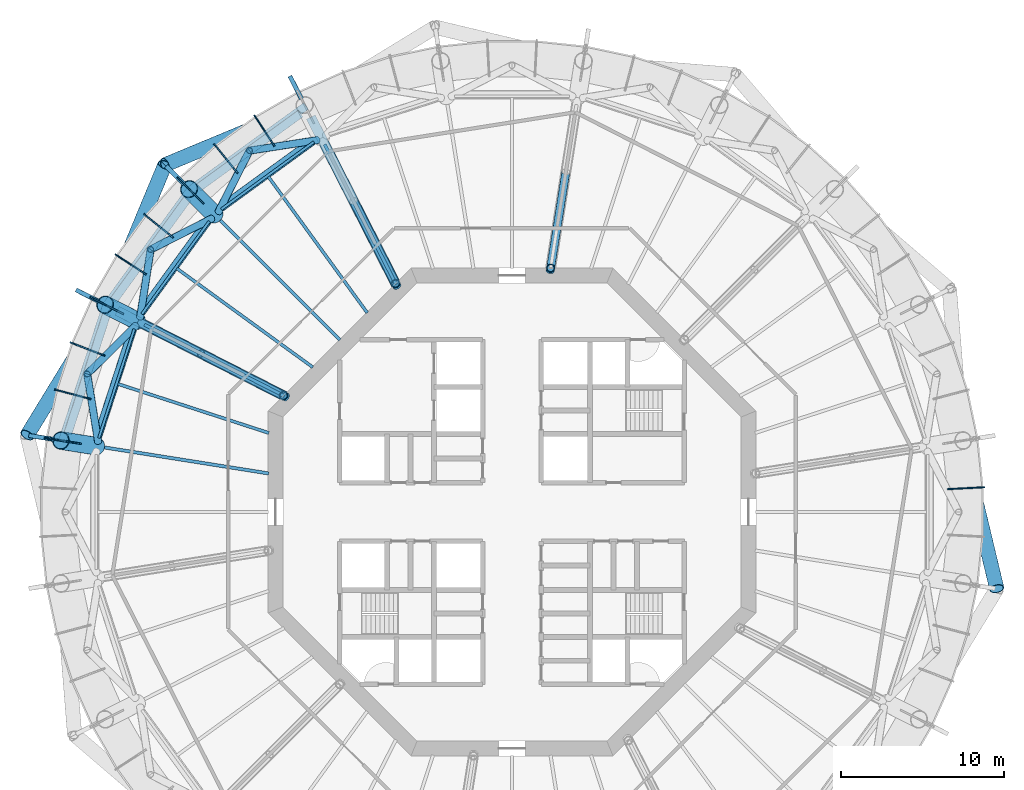
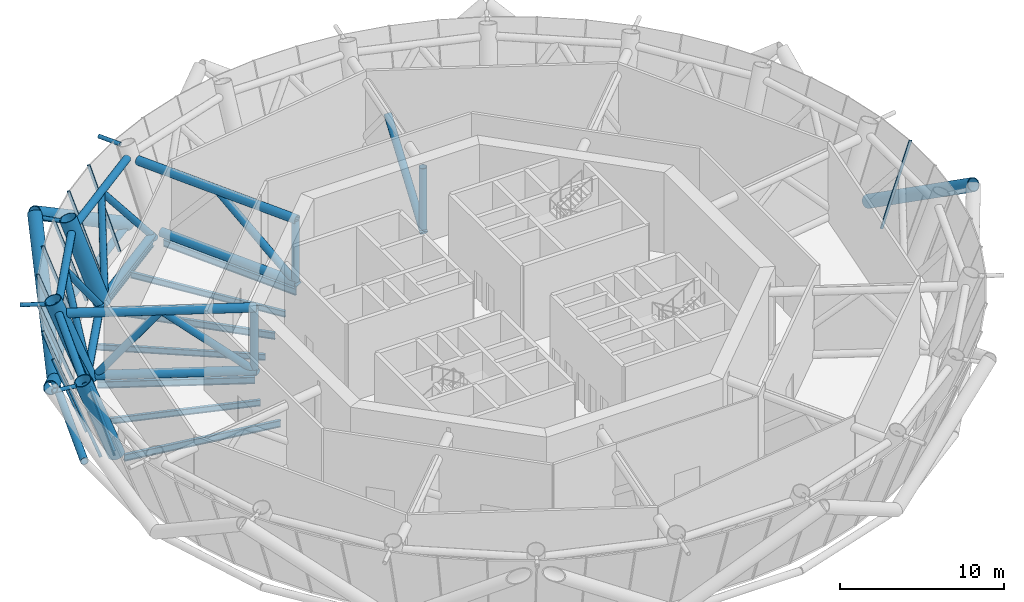
# One storey, part 4 of 15: 47 members, 10 beams, 5 elements without a shape of their own.
"""IFC4 building model written with IfcOpenShell, lengths in metres."""

import ifcopenshell
import ifcopenshell.guid

model = None  # the IFC model being written
_history = None  # IfcOwnerHistory: only IFC2X3 demands one
_inside = {}  # id of a spatial element -> (the spatial element, [elements in it])
_under = {}  # id of a project, library or spatial element -> (it, [spatial elements below it])
_declared = {}  # id of a project -> (the project, [libraries it declares])
_typed = {}  # id of a type object -> (the type object, [elements of that type])
_made_of = {}  # id of a material, layer set ... -> (it, [elements and type objects made of it])


def new_model(schema):
    """Start an empty IFC model of exactly this schema.

    Asked for "IFC4X3", IfcOpenShell would pick the latest addendum, in which some entities
    have other attributes; the version numbers below select the first issue.
    IFC2X3 requires an IfcOwnerHistory on every rooted entity: one is made here for all.
    """
    global model, _history
    if schema == "IFC4X3":
        model = ifcopenshell.file(schema_version=(4, 3, 0, 0))
    else:
        model = ifcopenshell.file(schema=schema)
    _inside.clear()
    _under.clear()
    _declared.clear()
    _typed.clear()
    _made_of.clear()
    _history = None
    if model.schema == "IFC2X3":
        org = make("IfcOrganization", Name="unknown")
        user = make(
            "IfcPersonAndOrganization",
            ThePerson=make("IfcPerson", FamilyName="unknown"),
            TheOrganization=org,
        )
        app = make(
            "IfcApplication",
            ApplicationDeveloper=org,
            Version="unknown",
            ApplicationFullName="unknown",
            ApplicationIdentifier="unknown",
        )
        _history = make(
            "IfcOwnerHistory",
            OwningUser=user,
            OwningApplication=app,
            ChangeAction="ADDED",
            CreationDate=0,
        )
    return model


def make(cls, **values):
    """One entity of the class cls with the attributes given. An attribute that is None is left unset."""
    return model.create_entity(
        cls, **{name: value for name, value in values.items() if value is not None}
    )


def rooted(cls, **values):
    """An entity with a GlobalId (a new one), such as an element, a storey or a relation."""
    return make(cls, GlobalId=ifcopenshell.guid.new(), OwnerHistory=_history, **values)


def si_unit(unit_type, name, prefix=None):
    """IfcSIUnit, for example si_unit("LENGTHUNIT", "METRE", prefix="MILLI")."""
    return make("IfcSIUnit", UnitType=unit_type, Prefix=prefix, Name=name)


def assignment(units):
    """IfcUnitAssignment: the units of a project."""
    return None if units is None else make("IfcUnitAssignment", Units=units)


def point(xyz):
    """IfcCartesianPoint."""
    return None if xyz is None else make("IfcCartesianPoint", Coordinates=xyz)


def direction(xyz):
    """IfcDirection."""
    return None if xyz is None else make("IfcDirection", DirectionRatios=xyz)


def frame(location, z_axis=None, x_axis=None):
    """IfcAxis2Placement3D, a coordinate frame: its origin and axes. An axis left out is left unset."""
    return make(
        "IfcAxis2Placement3D",
        Location=point(location),
        Axis=direction(z_axis),
        RefDirection=direction(x_axis),
    )


def frame_2d(location, x_axis=None):
    """IfcAxis2Placement2D, a coordinate frame in the plane: its origin and x axis."""
    return make(
        "IfcAxis2Placement2D", Location=point(location), RefDirection=direction(x_axis)
    )


def origin():
    """The frame at (0, 0, 0) with its axes left unset."""
    return frame((0.0, 0.0, 0.0))


def origin_2d():
    """The frame at (0, 0) in the plane with its x axis left unset."""
    return frame_2d((0.0, 0.0))


def place(relative_to, where):
    """IfcLocalPlacement: puts the frame where relative to a parent placement (None: the world)."""
    return make(
        "IfcLocalPlacement", PlacementRelTo=relative_to, RelativePlacement=where
    )


def context(
    kind, dimensions, precision=None, world=None, true_north=None, identifier=None
):
    """IfcGeometricRepresentationContext, for example the 3D "Model" context."""
    return make(
        "IfcGeometricRepresentationContext",
        ContextIdentifier=identifier,
        ContextType=kind,
        CoordinateSpaceDimension=dimensions,
        Precision=precision,
        WorldCoordinateSystem=world,
        TrueNorth=true_north,
    )


def subcontext(parent, identifier, kind, view, scale=None):
    """IfcGeometricRepresentationSubContext, for example "Body" below "Model"."""
    return make(
        "IfcGeometricRepresentationSubContext",
        ContextIdentifier=identifier,
        ContextType=kind,
        ParentContext=parent,
        TargetScale=scale,
        TargetView=view,
    )


def project(units=None, contexts=None):
    """IfcProject with its units and contexts."""
    return rooted(
        "IfcProject",
        Name="project",
        RepresentationContexts=contexts,
        UnitsInContext=assignment(units),
    )


def spatial(cls, under=None, at=None, **own):
    """A site, building, storey or space (cls), placed at a placement, below another one or the project."""
    s = rooted(cls, ObjectPlacement=at, **own)
    if under is not None:
        _under.setdefault(under.id(), (under, []))[1].append(s)
    return s


def profile(cls, at=None, kind="AREA", **sizes):
    """A parametric profile (cls). Its sizes go by their IFC names, for example OverallWidth=200.0."""
    return make(cls, ProfileType=kind, Position=at, **sizes)


def rectangle(**sizes):
    """IfcRectangleProfileDef."""
    return profile("IfcRectangleProfileDef", **sizes)


def circle(**sizes):
    """IfcCircleProfileDef."""
    return profile("IfcCircleProfileDef", **sizes)


def hollow_circle(**sizes):
    """IfcCircleHollowProfileDef."""
    return profile("IfcCircleHollowProfileDef", **sizes)


def i_section(**sizes):
    """IfcIShapeProfileDef."""
    return profile("IfcIShapeProfileDef", **sizes)


def extrude(swept, where, along, depth):
    """IfcExtrudedAreaSolid: the profile swept, set in the frame where, extruded along a direction by depth."""
    return make(
        "IfcExtrudedAreaSolid",
        SweptArea=swept,
        Position=where,
        ExtrudedDirection=direction(along),
        Depth=depth,
    )


def shape(context_of_items, identifier, shape_type, items):
    """IfcShapeRepresentation: the items that make up one representation, for example the "Body"."""
    return make(
        "IfcShapeRepresentation",
        ContextOfItems=context_of_items,
        RepresentationIdentifier=identifier,
        RepresentationType=shape_type,
        Items=items,
    )


def material(Name=None, Category=None):
    """IfcMaterial."""
    return make("IfcMaterial", Name=Name, Category=Category)


def layer(
    of_material, thickness, ventilated=None, Name=None, Category=None, Priority=None
):
    """IfcMaterialLayer: one layer of a wall or slab, of a material (None: an air gap)."""
    return make(
        "IfcMaterialLayer",
        Material=of_material,
        LayerThickness=thickness,
        IsVentilated=ventilated,
        Name=Name,
        Category=Category,
        Priority=Priority,
    )


def layer_set(layers, Name=None):
    """IfcMaterialLayerSet."""
    return make("IfcMaterialLayerSet", MaterialLayers=layers, LayerSetName=Name)


def material_profile(
    of_material, cross_section, Name=None, Category=None, Priority=None
):
    """IfcMaterialProfile: a cross section and its material."""
    return make(
        "IfcMaterialProfile",
        Name=Name,
        Material=of_material,
        Profile=cross_section,
        Priority=Priority,
        Category=Category,
    )


def profile_set(profiles, Name=None, composite=None):
    """IfcMaterialProfileSet."""
    return make(
        "IfcMaterialProfileSet",
        Name=Name,
        MaterialProfiles=profiles,
        CompositeProfile=composite,
    )


def made_of(thing, what):
    """Note that an element or type object is made of a material, layer set ...; save() writes the relation."""
    if what is not None:
        _made_of.setdefault(what.id(), (what, []))[1].append(thing)
    return thing


def type_object(cls, material=None, **own):
    """A type object (cls), such as IfcWallType, which elements share."""
    return made_of(rooted(cls, **own), material)


def element(
    cls,
    number,
    at=None,
    inside=None,
    cuts=None,
    type_object=None,
    material=None,
    context=None,
    identifier="Body",
    shape_type=None,
    held_by="IfcProductDefinitionShape",
    body=None,
    shapes=None,
    **own,
):
    """One element of the class cls, such as IfcWall. Its Tag is "e" and its number.

    at: its placement. inside: the storey or other place that contains it. cuts: it is an
    opening in that element (IfcRelVoidsElement). A single representation is given by context,
    identifier, shape_type and body (its items); several are given by shapes. held_by: the class
    of the entity that holds the representations. save() writes the other relations.
    """
    e = rooted(cls, Tag="e%d" % number, ObjectPlacement=at, **own)
    if body is not None:
        shapes = [shape(context, identifier, shape_type, body)]
    if shapes is not None:
        e.Representation = make(held_by, Representations=shapes)
    if inside is not None:
        _inside.setdefault(inside.id(), (inside, []))[1].append(e)
    if cuts is not None:
        rooted(
            "IfcRelVoidsElement", RelatingBuildingElement=cuts, RelatedOpeningElement=e
        )
    if type_object is not None:
        _typed.setdefault(type_object.id(), (type_object, []))[1].append(e)
    return made_of(e, material)


def aggregate(whole, parts):
    """IfcRelAggregates: a whole, such as a stair, and the parts it consists of."""
    return rooted("IfcRelAggregates", RelatingObject=whole, RelatedObjects=parts)


def save(model, path):
    """Write the relations noted so far, then the file.

    IfcRelAggregates (storeys below a building ...), IfcRelContainedInSpatialStructure (elements
    in a storey), IfcRelDefinesByType, IfcRelAssociatesMaterial and IfcRelDeclares: one each for
    every whole, place, type object, material and project.
    """
    for whole, parts in _under.values():
        aggregate(whole, parts)
    for where, things in _inside.values():
        rooted(
            "IfcRelContainedInSpatialStructure",
            RelatedElements=things,
            RelatingStructure=where,
        )
    for kind, things in _typed.values():
        rooted("IfcRelDefinesByType", RelatedObjects=things, RelatingType=kind)
    for what, things in _made_of.values():
        rooted("IfcRelAssociatesMaterial", RelatedObjects=things, RelatingMaterial=what)
    for by, libraries in _declared.values():
        rooted("IfcRelDeclares", RelatingContext=by, RelatedDefinitions=libraries)
    model.write(path)


model = new_model("IFC4")

# Units and contexts
model_context = context("Model", 3, precision=1e-05, world=origin(), true_north=direction((0.0, 1.0)))
body_context = subcontext(model_context, "Body", "Model", "MODEL_VIEW")
ifc_project = project(units=[si_unit("LENGTHUNIT", "METRE"), si_unit("AREAUNIT", "SQUARE_METRE"), si_unit("VOLUMEUNIT", "CUBIC_METRE"), si_unit("PLANEANGLEUNIT", "RADIAN"), si_unit("MASSUNIT", "GRAM", prefix="KILO")], contexts=[model_context])

# Site, building, storey
site_placement = place(None, origin())
site = spatial("IfcSite", under=ifc_project, at=site_placement, CompositionType="ELEMENT")
building_placement = place(site_placement, origin())
building = spatial("IfcBuilding", under=site, at=building_placement, Name="Entoto Ring Tower", CompositionType="ELEMENT")
storey_placement = place(building_placement, frame((0.0, 0.0, 268.0)))
storey = spatial("IfcBuildingStorey", under=building, at=storey_placement, Name="L61", CompositionType="ELEMENT", Elevation=268.0)

# Members
ifc_material_1 = material(Name="Steel S355", Category="steel")
ifc_material_profile_1 = material_profile(ifc_material_1, hollow_circle(Radius=0.449951171875, WallThickness=0.044921875, at=origin_2d()), Name="CHS 900 x 45")
ifc_material_2 = material(Name="Concrete C60/75", Category="concrete")
ifc_material_profile_2 = material_profile(ifc_material_2, circle(Radius=0.405029296875, at=origin_2d()), Name="Concrete C60/75 infill")
ifc_profile_set_1 = profile_set([ifc_material_profile_1, ifc_material_profile_2], Name="Steel S355")
member_type_1 = type_object("IfcMemberType", Name="Diagrid diagonal 900 x 45 concrete-filled tube", PredefinedType="BRACE", material=ifc_profile_set_1)
for number, where, z_axis, x_axis, name in (
    (1, (117.6552734375, 84.380126953125, 0.0), (0.195432990063, -0.818886187126, 0.539658557728), (0.972682939127, 0.232137674521, 0.0), "DG2 module 21 01"),
    (2, (77.288330078125, 104.9482421875, 0.0), (-0.777375260078, -0.323207345717, 0.539652403584), (0.383907804078, -0.923371430123, 0.0), "DG2 module 21 08"),
    (3, (65.0517578125, 92.711669921875, 0.0), (0.323207345717, 0.777375260078, 0.539652403584), (-0.923371430123, 0.383907804078, 0.0), "DG2 module 21 09"),
):
    element("IfcMember", number, at=place(storey_placement, frame(where, z_axis=z_axis, x_axis=x_axis)), inside=storey, type_object=member_type_1, Name=name, PredefinedType="BRACE", context=body_context, shape_type="SweptSolid", body=[
        extrude(hollow_circle(Radius=0.449951171875, WallThickness=0.044921875, at=origin_2d()), origin(), (0.0, 0.0, 1.0), 11.1181640625),
    ])
member_1_placement = place(storey_placement, frame((65.0517578125, 92.711669921875, 0.0), z_axis=(-0.438916670262, -0.718410935775, 0.539664603179), x_axis=(0.853341145652, -0.521352941047, 0.0)))
element("IfcMember", 4, at=member_1_placement, inside=storey, type_object=member_type_1, Name="DG2 module 21 10", PredefinedType="BRACE", context=body_context, shape_type="SweptSolid", body=[
    extrude(hollow_circle(Radius=0.449951171875, WallThickness=0.044921875, at=origin_2d()), origin(), (0.0, 0.0, 1.0), 11.117919921875),
])
ifc_material_3 = material(Name="Steel S355", Category="steel")
ifc_material_profile_3 = material_profile(ifc_material_3, hollow_circle(Radius=0.136474609375, WallThickness=0.012451171875, at=origin_2d()), Name="CHS 273 x 12.5")
ifc_material_4 = material(Name="Concrete C60/75", Category="concrete")
ifc_material_profile_4 = material_profile(ifc_material_4, circle(Radius=0.1240234375, at=origin_2d()), Name="Concrete C60/75 infill")
ifc_profile_set_2 = profile_set([ifc_material_profile_3, ifc_material_profile_4], Name="Steel S355")
member_type_2 = type_object("IfcMemberType", Name="Diagrid node strut 273 x 12.5", PredefinedType="STRUT", material=ifc_profile_set_2)
member_2_placement = place(storey_placement, frame((77.050048828125, 105.416015625, 5.71337890625), z_axis=(-0.454020983541, 0.890990991259, 0.0), x_axis=(-0.890990991259, -0.454020983541, 0.0)))
element("IfcMember", 5, at=member_2_placement, inside=storey, type_object=member_type_2, Name="DS2 strut ring 21 06", PredefinedType="STRUT", context=body_context, shape_type="SweptSolid", body=[
    extrude(hollow_circle(Radius=0.136474609375, WallThickness=0.012451171875, at=origin_2d()), origin(), (0.0, 0.0, 1.0), 1.574951171875),
])
member_3_placement = place(storey_placement, frame((69.829833984375, 100.170166015625, 5.71337890625), z_axis=(-0.707106781187, 0.707106781187, 0.0), x_axis=(-0.707106781187, -0.707106781187, 0.0)))
element("IfcMember", 6, at=member_3_placement, inside=storey, type_object=member_type_2, Name="DS2 strut ring 21 07", PredefinedType="STRUT", context=body_context, shape_type="SweptSolid", body=[
    extrude(hollow_circle(Radius=0.136474609375, WallThickness=0.012451171875, at=origin_2d()), origin(), (0.0, 0.0, 1.0), 1.5751953125),
])
for number, where, z_axis, x_axis, name in (
    (7, (64.583984375, 92.949951171875, 5.71337890625), (-0.890990991259, 0.454020983541, 0.0), (-0.454020983541, -0.890990991259, 0.0), "DS2 strut ring 21 08"),
    (8, (61.826171875, 84.46240234375, 5.71337890625), (-0.987693744331, 0.156400343382, 0.0), (-0.156400343382, -0.987693744331, 0.0), "DS2 strut ring 21 09"),
):
    element("IfcMember", number, at=place(storey_placement, frame(where, z_axis=z_axis, x_axis=x_axis)), inside=storey, type_object=member_type_2, Name=name, PredefinedType="STRUT", context=body_context, shape_type="SweptSolid", body=[
        extrude(hollow_circle(Radius=0.136474609375, WallThickness=0.012451171875, at=origin_2d()), origin(), (0.0, 0.0, 1.0), 1.574951171875),
    ])
ifc_material_5 = material(Name="Steel S355", Category="steel")
ifc_material_profile_5 = material_profile(ifc_material_5, hollow_circle(Radius=0.25390625, WallThickness=0.030029296875, at=origin_2d()), Name="CHS 508 x 30")
ifc_material_6 = material(Name="Concrete C60/75", Category="concrete")
ifc_material_profile_6 = material_profile(ifc_material_6, circle(Radius=0.22412109375, at=origin_2d()), Name="Concrete C60/75 infill")
ifc_profile_set_3 = profile_set([ifc_material_profile_5, ifc_material_profile_6], Name="Steel S355")
member_type_3 = type_object("IfcMemberType", Name="Diagrid ring beam 508 x 30", PredefinedType="CHORD", material=ifc_profile_set_3)
for number, where, z_axis, x_axis, name in (
    (9, (77.3369140625, 104.983642578125, 0.0), (-0.809012987705, -0.587790766961, 0.0), (0.587790766961, -0.809012987705, 0.0), "DR2 ring 20 07"),
    (10, (70.236328125, 99.84765625, 0.0), (-0.587790766961, -0.809012987705, 0.0), (0.809012987705, -0.587790766961, 0.0), "DR2 ring 20 08"),
    (11, (65.0703125, 92.76904296875, 0.0), (-0.309002151976, -0.951061338755, 0.0), (0.951061338755, -0.309002151976, 0.0), "DR2 ring 20 09"),
):
    element("IfcMember", number, at=place(storey_placement, frame(where, z_axis=z_axis, x_axis=x_axis)), inside=storey, type_object=member_type_3, Name=name, PredefinedType="CHORD", context=body_context, shape_type="SweptSolid", body=[
        extrude(hollow_circle(Radius=0.25390625, WallThickness=0.030029296875, at=origin_2d()), origin(), (0.0, 0.0, 1.0), 8.880615234375),
    ])

# Beams
ifc_material_7 = material(Name="Steel S355", Category="steel")
ifc_material_profile_7 = material_profile(ifc_material_7, i_section(OverallWidth=0.169921875, OverallDepth=0.360107421875, WebThickness=0.008056640625, FlangeThickness=0.0126953125, FilletRadius=0.01806640625, at=origin_2d()), Name="IPE 360")
ifc_profile_set_4 = profile_set([ifc_material_profile_7], Name="Steel S355")
beam_type_1 = type_object("IfcBeamType", Name="Edge beam IPE 360", PredefinedType="SPANDREL", material=ifc_profile_set_4)
for number, where, z_axis, x_axis, name in (
    (12, (77.818359375, 102.76953125, -0.330078125), (-0.809008282703, -0.587797242693, 0.0), (0.587797242693, -0.809008282703, 0.0), "Edge beam L61 07"),
    (13, (71.37841796875, 97.890625, -0.330078125), (-0.587797242693, -0.809008282703, 0.0), (0.809008282703, -0.587797242693, 0.0), "Edge beam L61 08"),
    (14, (66.76123046875, 91.2607421875, -0.330078125), (-0.309015666013, -0.951056947905, 0.0), (0.951056947905, -0.309015666013, 0.0), "Edge beam L61 09"),
):
    element("IfcBeam", number, at=place(storey_placement, frame(where, z_axis=z_axis, x_axis=x_axis)), inside=storey, type_object=beam_type_1, Name=name, PredefinedType="SPANDREL", context=body_context, shape_type="SweptSolid", body=[
        extrude(i_section(OverallWidth=0.169921875, OverallDepth=0.360107421875, WebThickness=0.008056640625, FlangeThickness=0.0126953125, FilletRadius=0.01806640625, at=origin_2d()), origin(), (0.0, 0.0, 1.0), 7.056884765625),
    ])

# Curtain wall, members
ifc_material_8 = material(Name="Anodised aluminium", Category="aluminium")
ifc_layer = layer(ifc_material_8, 0.10009765625)
ifc_layer_set = layer_set([ifc_layer], Name="Anodised aluminium")
curtain_wall_type = type_object("IfcCurtainWallType", Name="Louvre curtain wall system CW7", PredefinedType="NOTDEFINED", material=ifc_layer_set)
curtain_wall_1_placement = place(storey_placement, origin())
curtain_wall_1 = element("IfcCurtainWall", 15, at=curtain_wall_1_placement, inside=storey, type_object=curtain_wall_type, Name="CW7 L61-07", PredefinedType="NOTDEFINED")
ifc_material_9 = material(Name="Anodised aluminium", Category="aluminium")
ifc_material_profile_8 = material_profile(ifc_material_9, rectangle(XDim=0.080078125, YDim=0.199951171875, at=origin_2d()), Name="Mullion 80 x 200 mm anodised aluminium")
ifc_profile_set_5 = profile_set([ifc_material_profile_8], Name="Anodised aluminium")
member_type_4 = type_object("IfcMemberType", Name="Mullion 80 x 200 mm anodised aluminium", PredefinedType="MULLION", material=ifc_profile_set_5)
member_4_placement = place(storey_placement, frame((75.3388671875, 102.576171875, 0.034423828125), z_axis=(-0.187497389991, 0.288719812628, 0.938874644744), x_axis=(-0.838669836379, -0.544640161527, 0.0)))
member_4 = element("IfcMember", 16, at=member_4_placement, type_object=member_type_4, Name="MULLION L61-19", PredefinedType="MULLION", context=body_context, shape_type="SweptSolid", body=[
    extrude(rectangle(XDim=0.080078125, YDim=0.199951171875, at=origin_2d()), origin(), (0.0, 0.0, 1.0), 6.15771484375),
])
member_5_placement = place(storey_placement, frame((73.059326171875, 100.920166015625, 0.034423828125), z_axis=(-0.216641306561, 0.267510778801, 0.938884725361), x_axis=(-0.777124153348, -0.629347320868, 0.0)))
member_5 = element("IfcMember", 17, at=member_5_placement, type_object=member_type_4, Name="MULLION L61-20", PredefinedType="MULLION", context=body_context, shape_type="SweptSolid", body=[
    extrude(rectangle(XDim=0.080078125, YDim=0.199951171875, at=origin_2d()), origin(), (0.0, 0.0, 1.0), 6.157470703125),
])
aggregate(curtain_wall_1, [member_4, member_5])

curtain_wall_2_placement = place(storey_placement, origin())
curtain_wall_2 = element("IfcCurtainWall", 18, at=curtain_wall_2_placement, inside=storey, type_object=curtain_wall_type, Name="CW7 L61-08", PredefinedType="NOTDEFINED")
member_6_placement = place(storey_placement, frame((70.96533203125, 99.03466796875, 0.034423828125), z_axis=(-0.243439738428, 0.243439738428, 0.938868567749), x_axis=(-0.707106781187, -0.707106781187, 0.0)))
member_6 = element("IfcMember", 19, at=member_6_placement, type_object=member_type_4, Name="MULLION L61-21", PredefinedType="MULLION", context=body_context, shape_type="SweptSolid", body=[
    extrude(rectangle(XDim=0.080078125, YDim=0.199951171875, at=origin_2d()), origin(), (0.0, 0.0, 1.0), 6.15771484375),
])
member_7_placement = place(storey_placement, frame((69.079833984375, 96.940673828125, 0.034423828125), z_axis=(-0.267510778801, 0.216641306561, 0.938884725361), x_axis=(-0.629347320868, -0.777124153348, 0.0)))
member_7 = element("IfcMember", 20, at=member_7_placement, type_object=member_type_4, Name="MULLION L61-22", PredefinedType="MULLION", context=body_context, shape_type="SweptSolid", body=[
    extrude(rectangle(XDim=0.080078125, YDim=0.199951171875, at=origin_2d()), origin(), (0.0, 0.0, 1.0), 6.157470703125),
])
member_8_placement = place(storey_placement, frame((67.423828125, 94.6611328125, 0.034423828125), z_axis=(-0.288719812628, 0.187497389991, 0.938874644744), x_axis=(-0.544640161527, -0.838669836379, 0.0)))
member_8 = element("IfcMember", 21, at=member_8_placement, type_object=member_type_4, Name="MULLION L61-23", PredefinedType="MULLION", context=body_context, shape_type="SweptSolid", body=[
    extrude(rectangle(XDim=0.080078125, YDim=0.199951171875, at=origin_2d()), origin(), (0.0, 0.0, 1.0), 6.15771484375),
])
aggregate(curtain_wall_2, [member_6, member_7, member_8])

curtain_wall_3_placement = place(storey_placement, origin())
curtain_wall_3 = element("IfcCurtainWall", 22, at=curtain_wall_3_placement, inside=storey, type_object=curtain_wall_type, Name="CW7 L61-09", PredefinedType="NOTDEFINED")
member_9_placement = place(storey_placement, frame((66.014892578125, 92.220947265625, 0.034423828125), z_axis=(-0.306721620039, 0.156294806902, 0.938879002394), x_axis=(-0.454018947449, -0.890992028784, 0.0)))
member_9 = element("IfcMember", 23, at=member_9_placement, type_object=member_type_4, Name="MULLION L61-24", PredefinedType="MULLION", context=body_context, shape_type="SweptSolid", body=[
    extrude(rectangle(XDim=0.080078125, YDim=0.199951171875, at=origin_2d()), origin(), (0.0, 0.0, 1.0), 6.15771484375),
])
member_10_placement = place(storey_placement, frame((64.868896484375, 89.64697265625, 0.034423828125), z_axis=(-0.321391478901, 0.123346766699, 0.938878635626), x_axis=(-0.358307531587, -0.933603616536, 0.0)))
member_10 = element("IfcMember", 24, at=member_10_placement, type_object=member_type_4, Name="MULLION L61-25", PredefinedType="MULLION", context=body_context, shape_type="SweptSolid", body=[
    extrude(rectangle(XDim=0.080078125, YDim=0.199951171875, at=origin_2d()), origin(), (0.0, 0.0, 1.0), 6.15771484375),
])
member_11_placement = place(storey_placement, frame((63.998046875, 86.96728515625, 0.034423828125), z_axis=(-0.332496103447, 0.089091192994, 0.938887160698), x_axis=(-0.258816688586, -0.965926457713, 0.0)))
member_11 = element("IfcMember", 25, at=member_11_placement, type_object=member_type_4, Name="MULLION L61-26", PredefinedType="MULLION", context=body_context, shape_type="SweptSolid", body=[
    extrude(rectangle(XDim=0.080078125, YDim=0.199951171875, at=origin_2d()), origin(), (0.0, 0.0, 1.0), 6.157470703125),
])
aggregate(curtain_wall_3, [member_9, member_10, member_11])

# Curtain wall, member
curtain_wall_4_placement = place(storey_placement, origin())
curtain_wall_4 = element("IfcCurtainWall", 26, at=curtain_wall_4_placement, inside=storey, type_object=curtain_wall_type, Name="CW7 L61-10", PredefinedType="NOTDEFINED")
member_12_placement = place(storey_placement, frame((63.412353515625, 84.211181640625, 0.034423828125), z_axis=(-0.340024610762, 0.05384251649, 0.938873925239), x_axis=(-0.156400202324, -0.987693766667, 0.0)))
member_12 = element("IfcMember", 27, at=member_12_placement, type_object=member_type_4, Name="MULLION L61-27", PredefinedType="MULLION", context=body_context, shape_type="SweptSolid", body=[
    extrude(rectangle(XDim=0.080078125, YDim=0.199951171875, at=origin_2d()), origin(), (0.0, 0.0, 1.0), 6.15771484375),
])
aggregate(curtain_wall_4, [member_12])

curtain_wall_5_placement = place(storey_placement, origin())
curtain_wall_5 = element("IfcCurtainWall", 28, at=curtain_wall_5_placement, inside=storey, type_object=curtain_wall_type, Name="CW7 L61-20", PredefinedType="NOTDEFINED")
member_13_placement = place(storey_placement, frame((116.88232421875, 81.408935546875, 0.034423828125), z_axis=(0.343756132372, 0.018000609469, 0.938886414597), x_axis=(-0.052292829812, 0.998631793981, 0.0)))
member_13 = element("IfcMember", 29, at=member_13_placement, type_object=member_type_4, Name="MULLION L61-59", PredefinedType="MULLION", context=body_context, shape_type="SweptSolid", body=[
    extrude(rectangle(XDim=0.080078125, YDim=0.199951171875, at=origin_2d()), origin(), (0.0, 0.0, 1.0), 6.157470703125),
])
aggregate(curtain_wall_5, [member_13])

# Members
ifc_material_10 = material(Name="Steel S355", Category="steel")
ifc_material_profile_9 = material_profile(ifc_material_10, hollow_circle(Radius=0.304931640625, WallThickness=0.030029296875, at=origin_2d()), Name="CHS 610 x 30")
ifc_material_11 = material(Name="Concrete C60/75", Category="concrete")
ifc_material_profile_10 = material_profile(ifc_material_11, circle(Radius=0.27490234375, at=origin_2d()), Name="Concrete C60/75 infill")
ifc_profile_set_6 = profile_set([ifc_material_profile_9, ifc_material_profile_10], Name="Steel S355")
member_type_5 = type_object("IfcMemberType", Name="Outrigger chord 610 x 30", PredefinedType="CHORD", material=ifc_profile_set_6)
member_14_placement = place(storey_placement, frame((82.893798828125, 93.94677734375, 0.304931640625), z_axis=(-0.453993071975, 0.891005213564, 0.0), x_axis=(-0.891005213564, -0.453993071975, 0.0)))
element("IfcMember", 30, at=member_14_placement, inside=storey, type_object=member_type_5, Name="OR1B L61 bottom 04", PredefinedType="CHORD", context=body_context, shape_type="SweptSolid", body=[
    extrude(hollow_circle(Radius=0.304931640625, WallThickness=0.030029296875, at=origin_2d()), origin(), (0.0, 0.0, 1.0), 9.8916015625),
])
member_15_placement = place(storey_placement, frame((82.893798828125, 93.94677734375, 4.9951171875), z_axis=(-0.453996334628, 0.89100355114, 0.0), x_axis=(-0.89100355114, -0.453996334628, 0.0)))
element("IfcMember", 31, at=member_15_placement, inside=storey, type_object=member_type_5, Name="OR1B L61 top 04", PredefinedType="CHORD", context=body_context, shape_type="SweptSolid", body=[
    extrude(hollow_circle(Radius=0.304931640625, WallThickness=0.030029296875, at=origin_2d()), origin(), (0.0, 0.0, 1.0), 11.611328125),
])
member_16_placement = place(storey_placement, frame((76.05322265625, 87.106201171875, 0.304931640625), z_axis=(-0.891005213564, 0.453993071975, 0.0), x_axis=(-0.453993071975, -0.891005213564, 0.0)))
element("IfcMember", 32, at=member_16_placement, inside=storey, type_object=member_type_5, Name="OR1B L61 bottom 05", PredefinedType="CHORD", context=body_context, shape_type="SweptSolid", body=[
    extrude(hollow_circle(Radius=0.304931640625, WallThickness=0.030029296875, at=origin_2d()), origin(), (0.0, 0.0, 1.0), 9.8916015625),
])
member_17_placement = place(storey_placement, frame((76.05322265625, 87.106201171875, 4.9951171875), z_axis=(-0.89100355114, 0.453996334628, 0.0), x_axis=(-0.453996334628, -0.89100355114, 0.0)))
element("IfcMember", 33, at=member_17_placement, inside=storey, type_object=member_type_5, Name="OR1B L61 top 05", PredefinedType="CHORD", context=body_context, shape_type="SweptSolid", body=[
    extrude(hollow_circle(Radius=0.304931640625, WallThickness=0.030029296875, at=origin_2d()), origin(), (0.0, 0.0, 1.0), 11.611328125),
])
ifc_material_12 = material(Name="Steel S355", Category="steel")
ifc_material_profile_11 = material_profile(ifc_material_12, hollow_circle(Radius=0.25390625, WallThickness=0.030029296875, at=origin_2d()), Name="CHS 508 x 30")
ifc_material_13 = material(Name="Concrete C60/75", Category="concrete")
ifc_material_profile_12 = material_profile(ifc_material_13, circle(Radius=0.22412109375, at=origin_2d()), Name="Concrete C60/75 infill")
ifc_profile_set_7 = profile_set([ifc_material_profile_11, ifc_material_profile_12], Name="Steel S355")
member_type_6 = type_object("IfcMemberType", Name="Outrigger diagonal 508 x 30", PredefinedType="BRACE", material=ifc_profile_set_7)
member_18_placement = place(storey_placement, frame((92.34814453125, 94.824951171875, 0.166259765625), z_axis=(0.123216008538, 0.778011293546, 0.616048896075), x_axis=(-0.987690081313, 0.156423474185, 0.0)))
element("IfcMember", 34, at=member_18_placement, inside=storey, type_object=member_type_6, Name="OR2B L61 03 1", PredefinedType="BRACE", context=body_context, shape_type="SweptSolid", body=[
    extrude(hollow_circle(Radius=0.25390625, WallThickness=0.030029296875, at=origin_2d()), origin(), (0.0, 0.0, 1.0), 7.83837890625),
])
for number, where, z_axis, x_axis, name in (
    (35, (82.928955078125, 93.8779296875, 0.1435546875), (-0.350700573852, 0.688266653823, 0.635057572771), (-0.891000660337, -0.454002008011, 0.0), "OR2B L61 04 1"),
    (36, (76.1220703125, 87.071044921875, 0.1435546875), (-0.688266653823, 0.350700573852, 0.635057572771), (-0.454002008011, -0.891000660337, 0.0), "OR2B L61 05 1"),
):
    element("IfcMember", number, at=place(storey_placement, frame(where, z_axis=z_axis, x_axis=x_axis)), inside=storey, type_object=member_type_6, Name=name, PredefinedType="BRACE", context=body_context, shape_type="SweptSolid", body=[
        extrude(hollow_circle(Radius=0.25390625, WallThickness=0.030029296875, at=origin_2d()), origin(), (0.0, 0.0, 1.0), 7.6396484375),
    ])
member_19_placement = place(storey_placement, frame((70.864013671875, 89.750244140625, 4.9951171875), z_axis=(-0.576929349565, 0.293961232507, -0.762062542967), x_axis=(-0.453991782643, -0.891005870515, 0.0)))
element("IfcMember", 37, at=member_19_placement, inside=storey, type_object=member_type_6, Name="OR2B L61 05 2", PredefinedType="BRACE", context=body_context, shape_type="SweptSolid", body=[
    extrude(hollow_circle(Radius=0.25390625, WallThickness=0.030029296875, at=origin_2d()), origin(), (0.0, 0.0, 1.0), 6.418212890625),
])
ifc_material_14 = material(Name="Steel S355", Category="steel")
ifc_material_profile_13 = material_profile(ifc_material_14, hollow_circle(Radius=0.25390625, WallThickness=0.030029296875, at=origin_2d()), Name="CHS 508 x 30")
ifc_material_15 = material(Name="Concrete C60/75", Category="concrete")
ifc_material_profile_14 = material_profile(ifc_material_15, circle(Radius=0.22412109375, at=origin_2d()), Name="Concrete C60/75 infill")
ifc_profile_set_8 = profile_set([ifc_material_profile_13, ifc_material_profile_14], Name="Steel S355")
member_type_7 = type_object("IfcMemberType", Name="Outrigger post 508 x 30", PredefinedType="POST", material=ifc_profile_set_8)
for number, where, z_axis, x_axis, name in (
    (38, (92.375732421875, 95.0, 0.304931640625), (0.0, 0.0, 1.0), (1.0, 0.0, 0.0), "OR3 L61 03"),
    (39, (82.839599609375, 94.052978515625, 0.304931640625), (0.0, 0.0, 1.0), (1.0, 0.0, 0.0), "OR3 L61 04"),
    (40, (75.947021484375, 87.160400390625, 0.304931640625), (0.0, 0.0, 1.0), (1.0, 0.0, 0.0), "OR3 L61 05"),
):
    element("IfcMember", number, at=place(storey_placement, frame(where, z_axis=z_axis, x_axis=x_axis)), inside=storey, type_object=member_type_7, Name=name, PredefinedType="POST", context=body_context, shape_type="SweptSolid", body=[
        extrude(hollow_circle(Radius=0.25390625, WallThickness=0.030029296875, at=origin_2d()), origin(), (0.0, 0.0, 1.0), 4.690185546875),
    ])

# Beams
ifc_material_16 = material(Name="Steel S355", Category="steel")
ifc_material_profile_15 = material_profile(ifc_material_16, i_section(OverallWidth=0.199951171875, OverallDepth=0.5, WebThickness=0.01025390625, FlangeThickness=0.01611328125, FilletRadius=0.02099609375, at=origin_2d()), Name="IPE 500")
ifc_profile_set_9 = profile_set([ifc_material_profile_15], Name="Steel S355")
beam_type_2 = type_object("IfcBeamType", Name="Primary floor beam IPE 500", PredefinedType="BEAM", material=ifc_profile_set_9)
beam_1_placement = place(storey_placement, frame((82.863525390625, 94.006103515625, -0.39990234375), z_axis=(-0.453994308092, 0.891004583726, 0.0), x_axis=(-0.891004583726, -0.453994308092, 0.0)))
element("IfcBeam", 41, at=beam_1_placement, inside=storey, type_object=beam_type_2, Name="Primary L61 R07", PredefinedType="BEAM", context=body_context, shape_type="SweptSolid", body=[
    extrude(i_section(OverallWidth=0.199951171875, OverallDepth=0.5, WebThickness=0.01025390625, FlangeThickness=0.01611328125, FilletRadius=0.02099609375, at=origin_2d()), origin(), (0.0, 0.0, 1.0), 9.659912109375),
])
beam_2_placement = place(storey_placement, frame((79.407470703125, 90.592529296875, -0.39990234375), z_axis=(-0.707106781187, 0.707106781187, 0.0), x_axis=(-0.707106781187, -0.707106781187, 0.0)))
element("IfcBeam", 42, at=beam_2_placement, inside=storey, type_object=beam_type_2, Name="Primary L61 R08", PredefinedType="BEAM", context=body_context, shape_type="SweptSolid", body=[
    extrude(i_section(OverallWidth=0.199951171875, OverallDepth=0.5, WebThickness=0.01025390625, FlangeThickness=0.01611328125, FilletRadius=0.02099609375, at=origin_2d()), origin(), (0.0, 0.0, 1.0), 10.399169921875),
])
beam_3_placement = place(storey_placement, frame((75.993896484375, 87.136474609375, -0.39990234375), z_axis=(-0.891004583726, 0.453994308092, 0.0), x_axis=(-0.453994308092, -0.891004583726, 0.0)))
element("IfcBeam", 43, at=beam_3_placement, inside=storey, type_object=beam_type_2, Name="Primary L61 R09", PredefinedType="BEAM", context=body_context, shape_type="SweptSolid", body=[
    extrude(i_section(OverallWidth=0.199951171875, OverallDepth=0.5, WebThickness=0.01025390625, FlangeThickness=0.01611328125, FilletRadius=0.02099609375, at=origin_2d()), origin(), (0.0, 0.0, 1.0), 9.659912109375),
])
beam_4_placement = place(storey_placement, frame((75.035400390625, 82.3701171875, -0.39990234375), z_axis=(-0.987687565202, 0.156439360602, 0.0), x_axis=(-0.156439360602, -0.987687565202, 0.0)))
element("IfcBeam", 44, at=beam_4_placement, inside=storey, type_object=beam_type_2, Name="Primary L61 R10", PredefinedType="BEAM", context=body_context, shape_type="SweptSolid", body=[
    extrude(i_section(OverallWidth=0.199951171875, OverallDepth=0.5, WebThickness=0.01025390625, FlangeThickness=0.01611328125, FilletRadius=0.02099609375, at=origin_2d()), origin(), (0.0, 0.0, 1.0), 10.228271484375),
])

# Members
ifc_material_17 = material(Name="Steel S355", Category="steel")
ifc_material_profile_16 = material_profile(ifc_material_17, hollow_circle(Radius=0.550048828125, WallThickness=0.044921875, at=origin_2d()), Name="CHS 1100 x 45")
ifc_material_18 = material(Name="Concrete C60/75", Category="concrete")
ifc_material_profile_17 = material_profile(ifc_material_18, circle(Radius=0.5048828125, at=origin_2d()), Name="Concrete C60/75 infill")
ifc_profile_set_10 = profile_set([ifc_material_profile_16, ifc_material_profile_17], Name="Steel S355")
member_type_8 = type_object("IfcMemberType", Name="Ring column jog 1100 x 45 concrete-filled tube", PredefinedType="STRUT", material=ifc_profile_set_10)
for number, where, z_axis, x_axis, name in (
    (45, (71.68603515625, 98.31396484375, 0.0), (-0.243428816819, 0.243428816819, 0.938874231346), (-0.707106781187, -0.707106781187, 0.0), "RJ4B R08"),
    (46, (66.9228515625, 91.75830078125, 0.0), (-0.306731822092, 0.156288439927, 0.938876729322), (-0.453992276384, -0.891005618941, 0.0), "RJ4B R09"),
    (47, (64.4189453125, 84.0517578125, 0.0), (-0.340041863298, 0.053827545825, 0.938868535267), (-0.156350040137, -0.987701708488, 0.0), "RJ4B R10"),
):
    element("IfcMember", number, at=place(storey_placement, frame(where, z_axis=z_axis, x_axis=x_axis)), inside=storey, type_object=member_type_8, Name=name, PredefinedType="STRUT", context=body_context, shape_type="SweptSolid", body=[
        extrude(hollow_circle(Radius=0.550048828125, WallThickness=0.044921875, at=origin_2d()), origin(), (0.0, 0.0, 1.0), 6.390625),
    ])
ifc_material_19 = material(Name="Steel S355", Category="steel")
ifc_material_profile_18 = material_profile(ifc_material_19, hollow_circle(Radius=0.25390625, WallThickness=0.030029296875, at=origin_2d()), Name="CHS 508 x 30")
ifc_material_20 = material(Name="Concrete C60/75", Category="concrete")
ifc_material_profile_19 = material_profile(ifc_material_20, circle(Radius=0.22412109375, at=origin_2d()), Name="Concrete C60/75 infill")
ifc_profile_set_11 = profile_set([ifc_material_profile_18, ifc_material_profile_19], Name="Steel S355")
member_type_9 = type_object("IfcMemberType", Name="Ring truss chord 508 x 30", PredefinedType="CHORD", material=ifc_profile_set_11)
member_20_placement = place(storey_placement, frame((77.81787109375, 102.883056640625, 0.25390625), z_axis=(-0.809003255445, -0.587804161843, 0.0), x_axis=(0.587804161843, -0.809003255445, 0.0)))
element("IfcMember", 48, at=member_20_placement, inside=storey, type_object=member_type_9, Name="BT1 L61 bottom 07", PredefinedType="CHORD", context=body_context, shape_type="SweptSolid", body=[
    extrude(hollow_circle(Radius=0.25390625, WallThickness=0.030029296875, at=origin_2d()), origin(), (0.0, 0.0, 1.0), 7.189697265625),
])
member_21_placement = place(storey_placement, frame((76.988525390625, 104.510498046875, 5.236083984375), z_axis=(-0.80902029631, -0.587780707542, 0.0), x_axis=(0.587780707542, -0.80902029631, 0.0)))
element("IfcMember", 49, at=member_21_placement, inside=storey, type_object=member_type_9, Name="BT1 L61 top 07", PredefinedType="CHORD", context=body_context, shape_type="SweptSolid", body=[
    extrude(hollow_circle(Radius=0.25390625, WallThickness=0.030029296875, at=origin_2d()), origin(), (0.0, 0.0, 1.0), 7.760986328125),
])
member_22_placement = place(storey_placement, frame((71.343017578125, 97.99853515625, 0.25390625), z_axis=(-0.587804161843, -0.809003255445, 0.0), x_axis=(0.809003255445, -0.587804161843, 0.0)))
element("IfcMember", 50, at=member_22_placement, inside=storey, type_object=member_type_9, Name="BT1 L61 bottom 08", PredefinedType="CHORD", context=body_context, shape_type="SweptSolid", body=[
    extrude(hollow_circle(Radius=0.25390625, WallThickness=0.030029296875, at=origin_2d()), origin(), (0.0, 0.0, 1.0), 7.189697265625),
])
member_23_placement = place(storey_placement, frame((70.05126953125, 99.290283203125, 5.236083984375), z_axis=(-0.587780707542, -0.80902029631, 0.0), x_axis=(0.80902029631, -0.587780707542, 0.0)))
element("IfcMember", 51, at=member_23_placement, inside=storey, type_object=member_type_9, Name="BT1 L61 top 08", PredefinedType="CHORD", context=body_context, shape_type="SweptSolid", body=[
    extrude(hollow_circle(Radius=0.25390625, WallThickness=0.030029296875, at=origin_2d()), origin(), (0.0, 0.0, 1.0), 7.760986328125),
])
member_24_placement = place(storey_placement, frame((66.6943359375, 91.352294921875, 0.25390625), z_axis=(-0.309016197858, -0.951056775099, 0.0), x_axis=(0.951056775099, -0.309016197858, 0.0)))
element("IfcMember", 52, at=member_24_placement, inside=storey, type_object=member_type_9, Name="BT1 L61 bottom 09", PredefinedType="CHORD", context=body_context, shape_type="SweptSolid", body=[
    extrude(hollow_circle(Radius=0.25390625, WallThickness=0.030029296875, at=origin_2d()), origin(), (0.0, 0.0, 1.0), 7.189453125),
])
member_25_placement = place(storey_placement, frame((65.066650390625, 92.181640625, 5.236083984375), z_axis=(-0.309027746705, -0.951053022584, 0.0), x_axis=(0.951053022584, -0.309027746705, 0.0)))
element("IfcMember", 53, at=member_25_placement, inside=storey, type_object=member_type_9, Name="BT1 L61 top 09", PredefinedType="CHORD", context=body_context, shape_type="SweptSolid", body=[
    extrude(hollow_circle(Radius=0.25390625, WallThickness=0.030029296875, at=origin_2d()), origin(), (0.0, 0.0, 1.0), 7.76123046875),
])
ifc_material_21 = material(Name="Steel S355", Category="steel")
ifc_material_profile_20 = material_profile(ifc_material_21, hollow_circle(Radius=0.228515625, WallThickness=0.02001953125, at=origin_2d()), Name="CHS 457 x 20")
ifc_material_22 = material(Name="Concrete C60/75", Category="concrete")
ifc_material_profile_21 = material_profile(ifc_material_22, circle(Radius=0.20849609375, at=origin_2d()), Name="Concrete C60/75 infill")
ifc_profile_set_12 = profile_set([ifc_material_profile_20, ifc_material_profile_21], Name="Steel S355")
member_type_10 = type_object("IfcMemberType", Name="Ring truss diagonal 457 x 20", PredefinedType="BRACE", material=ifc_profile_set_12)
for number, where, z_axis, x_axis, name in (
    (54, (78.00634765625, 102.8759765625, -0.0673828125), (-0.614106031068, -0.095462688762, 0.783428782763), (0.153605019536, -0.988132328169, 0.0), "BT2 L61 07 a"),
    (55, (73.84912109375, 102.229736328125, 5.236083984375), (-0.280550213259, -0.55453658299, -0.7834416098), (0.892304837136, -0.451433359006, 0.0), "BT2 L61 07 b"),
    (56, (71.524169921875, 98.050048828125, -0.0673828125), (-0.55453658299, -0.280550213259, 0.7834416098), (0.451433359006, -0.892304837136, 0.0), "BT2 L61 08 a"),
    (57, (67.770263671875, 96.15087890625, 5.236083984375), (-0.095462688762, -0.614106031068, -0.783428782763), (0.988132328169, -0.153605019536, 0.0), "BT2 L61 08 b"),
    (58, (66.850830078125, 91.457275390625, -0.0673828125), (-0.440710426835, -0.438185899021, 0.78343310983), (0.705072790299, -0.709134938062, 0.0), "BT2 L61 09 a"),
    (59, (63.867431640625, 88.490966796875, 5.236083984375), (0.098962341101, -0.61353766283, -0.783439845383), (0.987239943567, 0.159239736959, 0.0), "BT2 L61 09 b"),
):
    element("IfcMember", number, at=place(storey_placement, frame(where, z_axis=z_axis, x_axis=x_axis)), inside=storey, type_object=member_type_10, Name=name, PredefinedType="BRACE", context=body_context, shape_type="SweptSolid", body=[
        extrude(hollow_circle(Radius=0.228515625, WallThickness=0.02001953125, at=origin_2d()), origin(), (0.0, 0.0, 1.0), 6.76953125),
    ])

# Beams
ifc_material_23 = material(Name="Steel S355", Category="steel")
ifc_material_profile_22 = material_profile(ifc_material_23, i_section(OverallWidth=0.18994140625, OverallDepth=0.449951171875, WebThickness=0.009521484375, FlangeThickness=0.0146484375, FilletRadius=0.02099609375, at=origin_2d()), Name="IPE 450")
ifc_profile_set_13 = profile_set([ifc_material_profile_22], Name="Steel S355")
beam_type_3 = type_object("IfcBeamType", Name="Secondary floor beam IPE 450", PredefinedType="JOIST", material=ifc_profile_set_13)
for number, where, z_axis, x_axis, name in (
    (60, (81.093994140625, 92.258056640625, -0.375), (-0.58779413796, 0.809010538485, 0.0), (-0.809010538485, -0.58779413796, 0.0), "Secondary beam L61 07"),
    (61, (77.741943359375, 88.906005859375, -0.375), (-0.809010538485, 0.58779413796, 0.0), (-0.58779413796, -0.809010538485, 0.0), "Secondary beam L61 08"),
):
    element("IfcBeam", number, at=place(storey_placement, frame(where, z_axis=z_axis, x_axis=x_axis)), inside=storey, type_object=beam_type_3, Name=name, PredefinedType="JOIST", context=body_context, shape_type="SweptSolid", body=[
        extrude(i_section(OverallWidth=0.18994140625, OverallDepth=0.449951171875, WebThickness=0.009521484375, FlangeThickness=0.0146484375, FilletRadius=0.02099609375, at=origin_2d()), origin(), (0.0, 0.0, 1.0), 10.34423828125),
    ])
beam_5_placement = place(storey_placement, frame((75.04833984375, 84.858154296875, -0.375), z_axis=(-0.951061045963, 0.309003053144, 0.0), x_axis=(-0.309003053144, -0.951061045963, 0.0)))
element("IfcBeam", 62, at=beam_5_placement, inside=storey, type_object=beam_type_3, Name="Secondary beam L61 09", PredefinedType="JOIST", context=body_context, shape_type="SweptSolid", body=[
    extrude(i_section(OverallWidth=0.18994140625, OverallDepth=0.449951171875, WebThickness=0.009521484375, FlangeThickness=0.0146484375, FilletRadius=0.02099609375, at=origin_2d()), origin(), (0.0, 0.0, 1.0), 9.77490234375),
])

save(model, "model.ifc")
